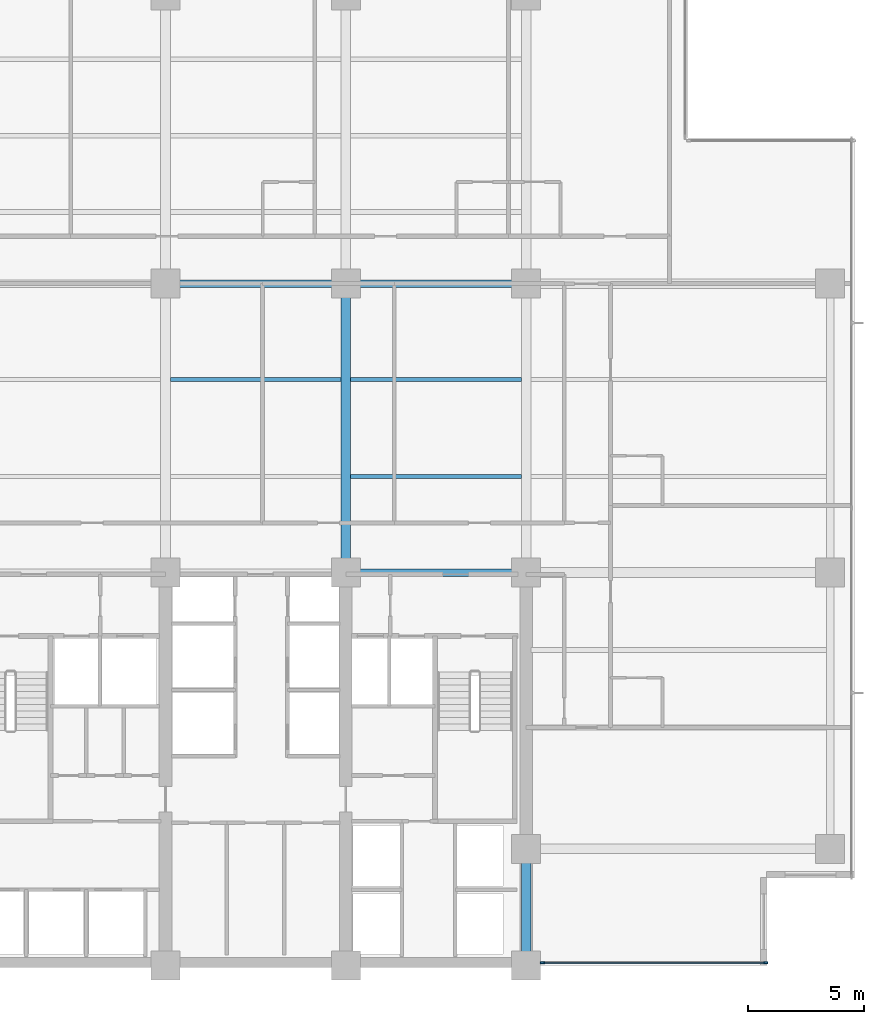
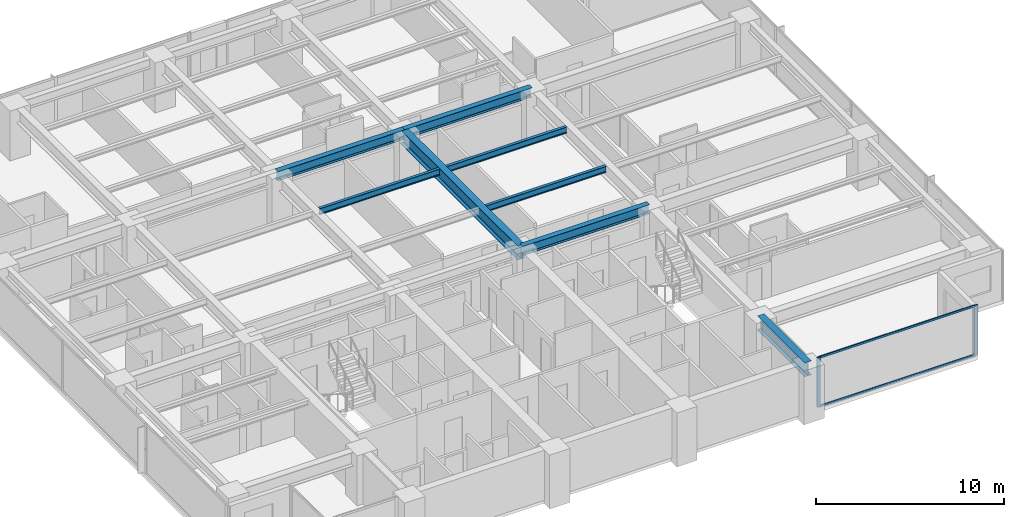
# One storey, part 3 of 17: 8 beams, 4 members, 1 element without a shape of its own.
"""IFC4 building model written with IfcOpenShell, lengths in metres."""

from ifc_helpers import new_model, si_unit, direction, frame, origin, origin_2d, place, context, subcontext, project, spatial, rectangle, i_section, extrude, material, layer, layer_set, material_profile, profile_set, type_object, element, aggregate, save


model = new_model("IFC4")

# Units and contexts
model_context = context("Model", 3, precision=1e-05, world=origin(), true_north=direction((0.0, 1.0)))
body_context = subcontext(model_context, "Body", "Model", "MODEL_VIEW")
ifc_project = project(units=[si_unit("LENGTHUNIT", "METRE"), si_unit("AREAUNIT", "SQUARE_METRE"), si_unit("VOLUMEUNIT", "CUBIC_METRE"), si_unit("PLANEANGLEUNIT", "RADIAN"), si_unit("MASSUNIT", "GRAM", prefix="KILO")], contexts=[model_context])

# Site, building, storey
site_placement = place(None, origin())
site = spatial("IfcSite", under=ifc_project, at=site_placement, CompositionType="ELEMENT")
building_placement = place(site_placement, origin())
building = spatial("IfcBuilding", under=site, at=building_placement, Name="Qalmaran Belvedere Hotel", CompositionType="ELEMENT")
storey_placement = place(building_placement, frame((0.0, 0.0, 98.699951171875)))
storey = spatial("IfcBuildingStorey", under=building, at=storey_placement, Name="L24", CompositionType="ELEMENT", Elevation=98.699951171875)

# Beams
ifc_material_1 = material(Name="Steel S355JR", Category="steel")
ifc_material_profile_1 = material_profile(ifc_material_1, i_section(OverallWidth=0.41796875, OverallDepth=0.912109375, WebThickness=0.019287109375, FlangeThickness=0.031982421875, FilletRadius=0.02392578125, at=origin_2d()), Name="W920X342")
ifc_profile_set_1 = profile_set([ifc_material_profile_1], Name="Steel S355JR")
beam_type_1 = type_object("IfcBeamType", Name="BM-PG2-W920X342", PredefinedType="USERDEFINED", material=ifc_profile_set_1)
beam_1_placement = place(storey_placement, frame((37.0, 20.5, 2.783935546875), z_axis=(0.0, 1.0, 0.0), x_axis=(-1.0, 0.0, 0.0)))
element("IfcBeam", 1, at=beam_1_placement, inside=storey, type_object=beam_type_1, Name="L24 Mid-Plate N-S Girder 18", ObjectType="GIRDER", PredefinedType="USERDEFINED", context=body_context, shape_type="SweptSolid", body=[
    extrude(i_section(OverallWidth=0.41796875, OverallDepth=0.912109375, WebThickness=0.019287109375, FlangeThickness=0.031982421875, FilletRadius=0.02392578125, at=origin_2d()), origin(), (0.0, 0.0, 1.0), 12.5),
])
beam_2_placement = place(storey_placement, frame((44.800048828125, 3.5, 2.783935546875), z_axis=(0.0, 1.0, 0.0), x_axis=(-1.0, 0.0, 0.0)))
element("IfcBeam", 2, at=beam_2_placement, inside=storey, type_object=beam_type_1, Name="L24 East Core Edge Girder A", ObjectType="GIRDER", PredefinedType="USERDEFINED", context=body_context, shape_type="SweptSolid", body=[
    extrude(i_section(OverallWidth=0.41796875, OverallDepth=0.912109375, WebThickness=0.019287109375, FlangeThickness=0.031982421875, FilletRadius=0.02392578125, at=origin_2d()), origin(), (0.0, 0.0, 1.0), 5.050048828125),
])
ifc_material_profile_2 = material_profile(ifc_material_1, i_section(OverallWidth=0.177978515625, OverallDepth=0.406982421875, WebThickness=0.0078125, FlangeThickness=0.0126953125, FilletRadius=0.014892578125, at=origin_2d()), Name="W410X60")
ifc_profile_set_2 = profile_set([ifc_material_profile_2], Name="Steel S355JR")
beam_type_2 = type_object("IfcBeamType", Name="BM-SB2-W410X60", PredefinedType="BEAM", material=ifc_profile_set_2)
for number, where, z_axis, x_axis, name in (
    (3, (37.20703125, 24.64990234375, 3.03662109375), (1.0, 0.0, 0.0), (0.0, 1.0, 0.0), "L24 Secondary Floor Beam 031"),
    (4, (29.406982421875, 28.85009765625, 3.03662109375), (1.0, 0.0, 0.0), (0.0, 1.0, 0.0), "L24 Secondary Floor Beam 035"),
    (5, (37.20703125, 28.85009765625, 3.03662109375), (1.0, 0.0, 0.0), (0.0, 1.0, 0.0), "L24 Secondary Floor Beam 036"),
):
    element("IfcBeam", number, at=place(storey_placement, frame(where, z_axis=z_axis, x_axis=x_axis)), inside=storey, type_object=beam_type_2, Name=name, PredefinedType="BEAM", context=body_context, shape_type="SweptSolid", body=[
        extrude(i_section(OverallWidth=0.177978515625, OverallDepth=0.406982421875, WebThickness=0.0078125, FlangeThickness=0.0126953125, FilletRadius=0.014892578125, at=origin_2d()), origin(), (0.0, 0.0, 1.0), 7.385986328125),
    ])
ifc_material_profile_3 = material_profile(ifc_material_1, i_section(OverallWidth=0.323974609375, OverallDepth=0.611083984375, WebThickness=0.0126953125, FlangeThickness=0.01904296875, FilletRadius=0.02001953125, at=origin_2d()), Name="W610X155")
ifc_profile_set_3 = profile_set([ifc_material_profile_3], Name="Steel S355JR")
beam_type_3 = type_object("IfcBeamType", Name="BM-Z2-W610X155", PredefinedType="USERDEFINED", material=ifc_profile_set_3)
for number, where, z_axis, x_axis, name in (
    (6, (37.0, 20.5, 2.9345703125), (1.0, 0.0, 0.0), (0.0, 1.0, 0.0), "L24 Interior E-W Girder 10"),
    (7, (29.199951171875, 33.0, 2.9345703125), (1.0, 0.0, 0.0), (0.0, 1.0, 0.0), "L24 Interior E-W Girder 12"),
    (8, (37.0, 33.0, 2.9345703125), (1.0, 0.0, 0.0), (0.0, 1.0, 0.0), "L24 Interior E-W Girder 13"),
):
    element("IfcBeam", number, at=place(storey_placement, frame(where, z_axis=z_axis, x_axis=x_axis)), inside=storey, type_object=beam_type_3, Name=name, ObjectType="GIRDER", PredefinedType="USERDEFINED", context=body_context, shape_type="SweptSolid", body=[
        extrude(i_section(OverallWidth=0.323974609375, OverallDepth=0.611083984375, WebThickness=0.0126953125, FlangeThickness=0.01904296875, FilletRadius=0.02001953125, at=origin_2d()), origin(), (0.0, 0.0, 1.0), 7.800048828125),
    ])

# Curtain wall, members
ifc_material_2 = material(Name="Anodised Bronze Aluminium", Category="aluminium")
ifc_layer = layer(ifc_material_2, 0.199951171875, Name="Anodised Bronze Aluminium")
ifc_layer_set = layer_set([ifc_layer], Name="Anodised Bronze Aluminium")
curtain_wall_type = type_object("IfcCurtainWallType", Name="CW3-TOWER-LOWMID", PredefinedType="NOTDEFINED", material=ifc_layer_set)
curtain_wall_placement = place(storey_placement, origin())
curtain_wall = element("IfcCurtainWall", 9, at=curtain_wall_placement, inside=storey, type_object=curtain_wall_type, Name="L24 Curtain Wall CW3", PredefinedType="NOTDEFINED")
ifc_material_profile_4 = material_profile(ifc_material_2, rectangle(XDim=0.070068359375, YDim=0.18994140625, at=origin_2d()), Name="CWM70X190")
ifc_profile_set_4 = profile_set([ifc_material_profile_4], Name="Anodised Bronze Aluminium")
member_type_1 = type_object("IfcMemberType", Name="CWM-70X190", PredefinedType="MULLION", material=ifc_profile_set_4)
member_1_placement = place(storey_placement, frame((45.5, 3.6201171875, 0.0), z_axis=(0.0, 0.0, 1.0), x_axis=(0.0, 1.0, 0.0)))
member_1 = element("IfcMember", 10, at=member_1_placement, type_object=member_type_1, Name="CW3 mullion 1", PredefinedType="MULLION", context=body_context, shape_type="SweptSolid", body=[
    extrude(rectangle(XDim=0.070068359375, YDim=0.18994140625, at=origin_2d()), origin(), (0.0, 0.0, 1.0), 3.239990234375),
])
member_2_placement = place(storey_placement, frame((55.1650390625, 3.6201171875, 0.0), z_axis=(0.0, 0.0, 1.0), x_axis=(0.0, 1.0, 0.0)))
member_2 = element("IfcMember", 11, at=member_2_placement, type_object=member_type_1, Name="CW3 mullion 2", PredefinedType="MULLION", context=body_context, shape_type="SweptSolid", body=[
    extrude(rectangle(XDim=0.070068359375, YDim=0.18994140625, at=origin_2d()), origin(), (0.0, 0.0, 1.0), 3.239990234375),
])
ifc_material_profile_5 = material_profile(ifc_material_2, rectangle(XDim=0.06494140625, YDim=0.1298828125, at=origin_2d()), Name="CWT65X130")
ifc_profile_set_5 = profile_set([ifc_material_profile_5], Name="Anodised Bronze Aluminium")
member_type_2 = type_object("IfcMemberType", Name="CWT-65X130", PredefinedType="USERDEFINED", material=ifc_profile_set_5)
member_3_placement = place(storey_placement, frame((45.534912109375, 3.6201171875, 0.032470703125), z_axis=(1.0, 0.0, 0.0), x_axis=(0.0, 1.0, 0.0)))
member_3 = element("IfcMember", 12, at=member_3_placement, type_object=member_type_2, Name="CW3 transom 1.1", ObjectType="TRANSOM", PredefinedType="USERDEFINED", context=body_context, shape_type="SweptSolid", body=[
    extrude(rectangle(XDim=0.06494140625, YDim=0.1298828125, at=origin_2d()), origin(), (0.0, 0.0, 1.0), 9.594970703125),
])
member_4_placement = place(storey_placement, frame((45.534912109375, 3.6201171875, 3.20751953125), z_axis=(1.0, 0.0, 0.0), x_axis=(0.0, 1.0, 0.0)))
member_4 = element("IfcMember", 13, at=member_4_placement, type_object=member_type_2, Name="CW3 transom 1.2", ObjectType="TRANSOM", PredefinedType="USERDEFINED", context=body_context, shape_type="SweptSolid", body=[
    extrude(rectangle(XDim=0.06494140625, YDim=0.1298828125, at=origin_2d()), origin(), (0.0, 0.0, 1.0), 9.594970703125),
])
aggregate(curtain_wall, [member_1, member_2, member_3, member_4])

save(model, "model.ifc")
